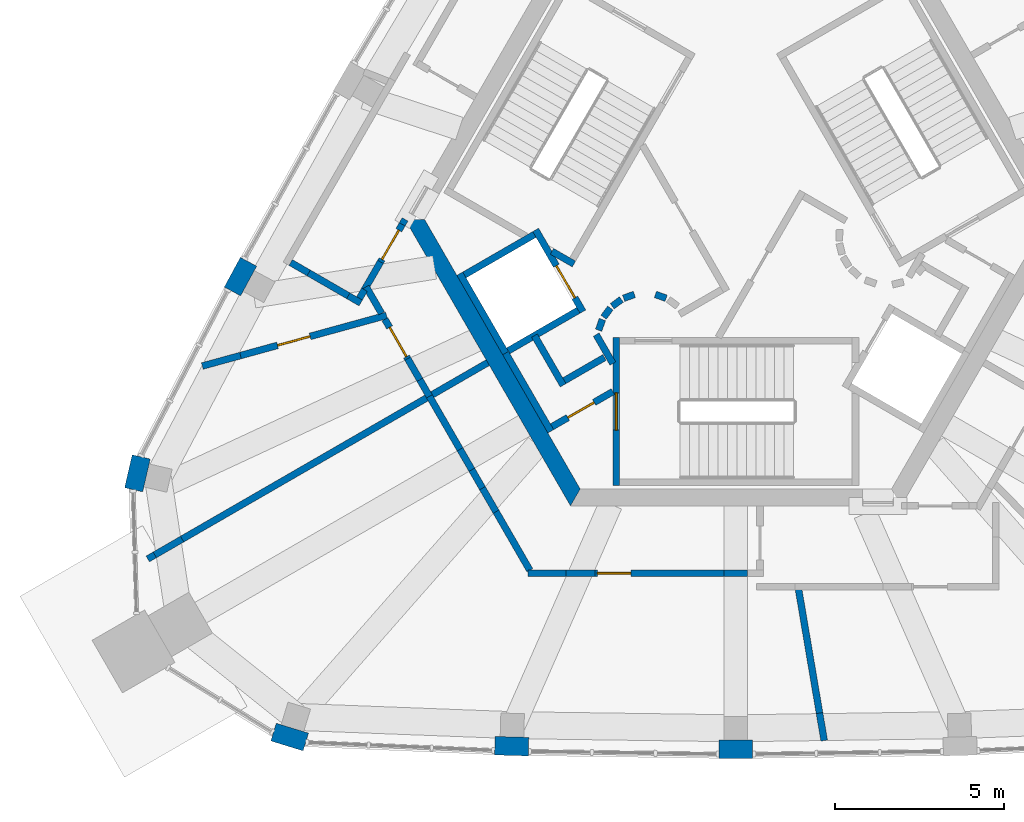
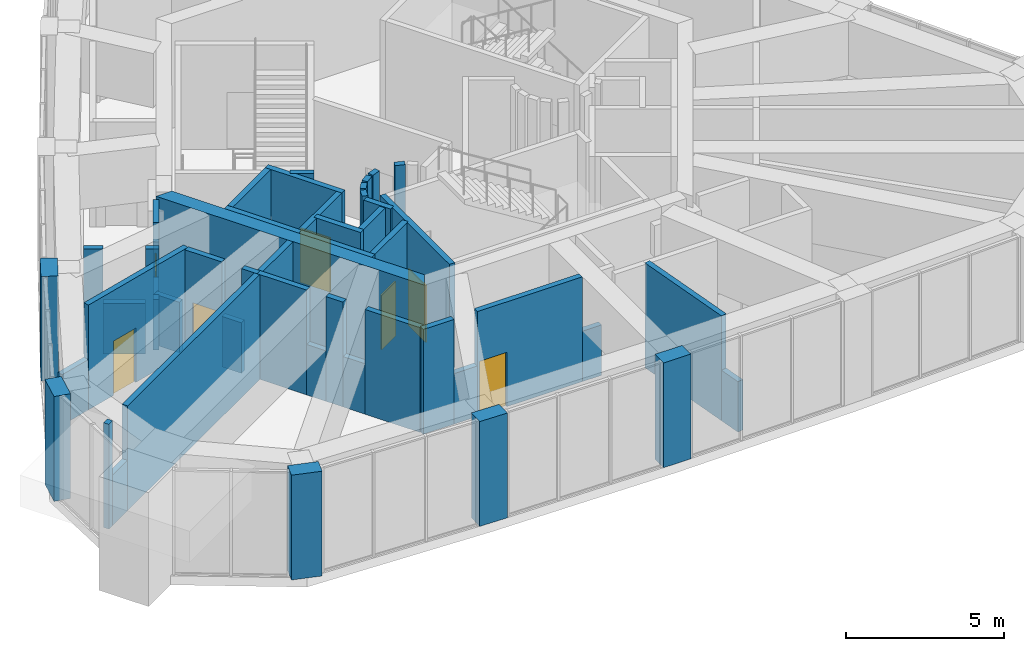
# One storey, part 7 of 11: 50 walls, 7 doors, 7 openings.
"""IFC4 building model written with IfcOpenShell, lengths in metres."""

from ifc_helpers import new_model, si_unit, direction, frame, frame_2d, origin, place, context, subcontext, project, spatial, polyline, rectangle, outline, extrude, material, layer, layer_set, type_object, element, fill, save


model = new_model("IFC4")

# Units and contexts
model_context = context("Model", 3, precision=1e-05, world=origin(), true_north=direction((0.0, 1.0)))
body_context = subcontext(model_context, "Body", "Model", "MODEL_VIEW")
ifc_project = project(units=[si_unit("LENGTHUNIT", "METRE"), si_unit("AREAUNIT", "SQUARE_METRE"), si_unit("VOLUMEUNIT", "CUBIC_METRE"), si_unit("PLANEANGLEUNIT", "RADIAN"), si_unit("MASSUNIT", "GRAM", prefix="KILO")], contexts=[model_context])

# Site, building, storey
site_placement = place(None, origin())
site = spatial("IfcSite", under=ifc_project, at=site_placement, CompositionType="ELEMENT")
building_placement = place(site_placement, origin())
building = spatial("IfcBuilding", under=site, at=building_placement, Name="Entoto Arch Interchange Tower", CompositionType="ELEMENT")
storey_placement = place(building_placement, frame((0.0, 0.0, 353.89990234375)))
storey = spatial("IfcBuildingStorey", under=building, at=storey_placement, Name="L83", CompositionType="ELEMENT", Elevation=353.89990234375)

# Wall
ifc_material_1 = material(Name="Concrete C40/50", Category="concrete")
ifc_layer_1 = layer(ifc_material_1, 0.5)
ifc_layer_set_1 = layer_set([ifc_layer_1], Name="Concrete C40/50")
wall_type_1 = type_object("IfcWallType", Name="Core wall 500 C40/50", PredefinedType="SHEAR", material=ifc_layer_set_1)
wall_1_placement = place(storey_placement, frame((0.0, 0.0, -0.349853515625)))
element("IfcWall", 1, at=wall_1_placement, inside=storey, type_object=wall_type_1, Name="Core wall SW L83", PredefinedType="SHEAR", context=body_context, shape_type="SweptSolid", body=[
    extrude(outline(polyline([(-9.81494140625, 2.5), (-4.906982421875, -6.0), (-4.618896484375, -5.5), (-9.238037109375, 2.5), (-9.81494140625, 2.5)])), origin(), (0.0, 0.0, 1.0), 4.39990234375),
])

# Wall, opening, door
ifc_layer_2 = layer(ifc_material_1, 0.199951171875)
ifc_layer_set_2 = layer_set([ifc_layer_2], Name="Concrete C40/50")
wall_type_2 = type_object("IfcWallType", Name="LIFT SHAFT WALL 200", PredefinedType="STANDARD", material=ifc_layer_set_2)
wall_2_placement = place(storey_placement, frame((-5.93994140625, 2.18798828125, 0.0), z_axis=(0.0, 0.0, 1.0), x_axis=(0.49994636267, -0.866056369097, 0.0)))
wall_2 = element("IfcWall", 2, at=wall_2_placement, inside=storey, type_object=wall_type_2, Name="Shaft wall SW1 front", PredefinedType="STANDARD", context=body_context, shape_type="SweptSolid", body=[
    extrude(rectangle(XDim=2.800048828125, YDim=0.199951171875, at=frame_2d((1.39990234375, 0.0))), origin(), (0.0, 0.0, 1.0), 4.050048828125),
])
opening_1_placement = place(wall_2_placement, frame((1.22509765625, 0.0, 0.0)))
opening_1 = element("IfcOpeningElement", 3, at=opening_1_placement, cuts=wall_2, Name="Opening LD-FF2-L83", PredefinedType="OPENING", context=body_context, shape_type="SweptSolid", body=[
    extrude(rectangle(XDim=1.10009765625, YDim=2.10009765625, at=frame_2d((0.550048828125, 1.050048828125))), frame((0.0, 0.10986328125, 0.0), z_axis=(0.0, -1.0, 0.0), x_axis=(1.0, 0.0, 0.0)), (0.0, 0.0, 1.0), 0.219970703125),
])
ifc_material_2 = material(Name="Stainless steel 1.4301 panels", Category="steel")
door_type_1 = type_object("IfcDoorType", Name="LIFT LANDING DOOR LD1 1100x2100", OperationType="SLIDING_TO_LEFT", PredefinedType="DOOR", material=ifc_material_2)
door_1_placement = place(opening_1_placement, origin())
door_1 = element("IfcDoor", 4, at=door_1_placement, inside=storey, type_object=door_type_1, Name="Lift landing door FF2 L83", OperationType="SLIDING_TO_LEFT", OverallHeight=2.10009765625, OverallWidth=1.10009765625, PredefinedType="DOOR", context=body_context, shape_type="SweptSolid", body=[
    extrude(rectangle(XDim=1.10009765625, YDim=2.10009765625, at=frame_2d((0.550048828125, 1.050048828125))), frame((0.0, 0.02490234375, 0.0), z_axis=(0.0, -1.0, 0.0), x_axis=(1.0, 0.0, 0.0)), (0.0, 0.0, 1.0), 0.050048828125),
])
fill(opening_1, door_1)

# Walls
wall_3_placement = place(storey_placement, frame((-8.19189453125, 0.887939453125, 0.0), z_axis=(0.0, 0.0, 1.0), x_axis=(0.49994636267, -0.866056369097, 0.0)))
element("IfcWall", 5, at=wall_3_placement, inside=storey, type_object=wall_type_2, Name="Shaft wall SW1 back", PredefinedType="STANDARD", context=body_context, shape_type="SweptSolid", body=[
    extrude(rectangle(XDim=2.800048828125, YDim=0.199951171875, at=frame_2d((1.39990234375, 0.0))), origin(), (0.0, 0.0, 1.0), 4.050048828125),
])
for number, where, z_axis, x_axis, name in (
    (6, (-5.97705078125, 2.052001953125, 0.0), (0.0, 0.0, 1.0), (-0.865973769406, -0.500089422704, 0.0), "Shaft wall SW1 cross 1"),
    (7, (-4.677001953125, -0.199951171875, 0.0), (0.0, 0.0, 1.0), (-0.865973769406, -0.500089422704, 0.0), "Shaft wall SW1 cross 2"),
):
    element("IfcWall", number, at=place(storey_placement, frame(where, z_axis=z_axis, x_axis=x_axis)), inside=storey, type_object=wall_type_2, Name=name, PredefinedType="STANDARD", context=body_context, shape_type="SweptSolid", body=[
        extrude(rectangle(XDim=2.3994140625, YDim=0.199951171875, at=frame_2d((1.19970703125, 0.0))), origin(), (0.0, 0.0, 1.0), 4.050048828125),
    ])
ifc_material_3 = material(Name="Gypsum board partition on steel studs", Category="steel")
ifc_layer_3 = layer(ifc_material_3, 0.199951171875)
ifc_layer_set_3 = layer_set([ifc_layer_3], Name="Gypsum board partition on steel studs")
wall_type_3 = type_object("IfcWallType", Name="PARTITION 200", PredefinedType="PARTITIONING", material=ifc_layer_set_3)
wall_4_placement = place(storey_placement, frame((-3.89990234375, -1.59912109375, 0.0), z_axis=(0.0, 0.0, 1.0), x_axis=(-0.865969445389, -0.500096910261, 0.0)))
element("IfcWall", 8, at=wall_4_placement, inside=storey, type_object=wall_type_3, Name="wall:L83:p007", PredefinedType="PARTITIONING", context=body_context, shape_type="SweptSolid", body=[
    extrude(rectangle(XDim=1.373291015625, YDim=0.199951171875, at=frame_2d((0.6865234375, 0.0))), origin(), (0.0, 0.0, 1.0), 4.050048828125),
])
wall_5_placement = place(storey_placement, frame((-5.1259765625, -2.422119140625, 0.0), z_axis=(0.0, 0.0, 1.0), x_axis=(-0.500062241894, 0.865989465428, 0.0)))
element("IfcWall", 9, at=wall_5_placement, inside=storey, type_object=wall_type_3, Name="wall:L83:p008", PredefinedType="PARTITIONING", context=body_context, shape_type="SweptSolid", body=[
    extrude(rectangle(XDim=1.699951171875, YDim=0.199951171875, at=frame_2d((0.85009765625, 0.0))), origin(), (0.0, 0.0, 1.0), 4.050048828125),
])
wall_6_placement = place(storey_placement, frame((-5.491943359375, -3.7880859375, 0.0), z_axis=(0.0, 0.0, 1.0), x_axis=(-0.500008949224, 0.866020236886, 0.0)))
element("IfcWall", 10, at=wall_6_placement, inside=storey, type_object=wall_type_3, Name="wall:L83:p009", PredefinedType="PARTITIONING", context=body_context, shape_type="SweptSolid", body=[
    extrude(rectangle(XDim=2.68017578125, YDim=0.199951171875, at=frame_2d((1.340087890625, 0.0))), origin(), (0.0, 0.0, 1.0), 4.050048828125),
])
wall_7_placement = place(storey_placement, frame((-4.14501953125, -0.919921875, 0.0), z_axis=(0.0, 0.0, 1.0), x_axis=(0.499743786207, -0.866173278362, 0.0)))
element("IfcWall", 11, at=wall_7_placement, inside=storey, type_object=wall_type_3, Name="wall:L83:p010", PredefinedType="PARTITIONING", context=body_context, shape_type="SweptSolid", body=[
    extrude(rectangle(XDim=0.99072265625, YDim=0.199951171875, at=frame_2d((0.495361328125, 0.0))), origin(), (0.0, 0.0, 1.0), 4.050048828125),
])

# Wall, opening, door
wall_8_placement = place(storey_placement, frame((-3.64990234375, -2.610107421875, 0.0), z_axis=(0.0, 0.0, 1.0), x_axis=(-0.866072462134, -0.499918483688, 0.0)))
wall_8 = element("IfcWall", 12, at=wall_8_placement, inside=storey, type_object=wall_type_3, Name="wall:L83:p011", PredefinedType="PARTITIONING", context=body_context, shape_type="SweptSolid", body=[
    extrude(rectangle(XDim=2.084228515625, YDim=0.199951171875, at=frame_2d((1.0419921875, 0.0))), origin(), (0.0, 0.0, 1.0), 4.050048828125),
])
opening_2_placement = place(wall_8_placement, frame((0.64208984375, 0.0, 0.0)))
opening_2 = element("IfcOpeningElement", 13, at=opening_2_placement, cuts=wall_8, Name="Opening L83-D19", PredefinedType="OPENING", context=body_context, shape_type="SweptSolid", body=[
    extrude(rectangle(XDim=0.89990234375, YDim=2.10009765625, at=frame_2d((0.449951171875, 1.050048828125))), frame((0.0, 0.10986328125, 0.0), z_axis=(0.0, -1.0, 0.0), x_axis=(1.0, 0.0, 0.0)), (0.0, 0.0, 1.0), 0.219970703125),
])
ifc_material_4 = material(Name="Timber door leaf in Steel S235 frame", Category="steel")
door_type_2 = type_object("IfcDoorType", Name="DOOR DS-09 900x2100", OperationType="SINGLE_SWING_LEFT", PredefinedType="DOOR", material=ifc_material_4)
door_2_placement = place(opening_2_placement, origin())
door_2 = element("IfcDoor", 14, at=door_2_placement, inside=storey, type_object=door_type_2, Name="door:L83:19", OperationType="SINGLE_SWING_LEFT", OverallHeight=2.10009765625, OverallWidth=0.89990234375, PredefinedType="DOOR", context=body_context, shape_type="SweptSolid", body=[
    extrude(rectangle(XDim=0.89990234375, YDim=2.10009765625, at=frame_2d((0.449951171875, 1.050048828125))), frame((0.0, 0.02490234375, 0.0), z_axis=(0.0, -1.0, 0.0), x_axis=(1.0, 0.0, 0.0)), (0.0, 0.0, 1.0), 0.050048828125),
])
fill(opening_2, door_2)

# Walls
wall_9_placement = place(storey_placement, frame((-2.070068359375, 0.159912109375, 0.0), z_axis=(0.0, 0.0, 1.0), x_axis=(-0.942199461132, 0.335052496547, 0.0)))
element("IfcWall", 15, at=wall_9_placement, inside=storey, type_object=wall_type_3, Name="wall:L83:p022", PredefinedType="PARTITIONING", context=body_context, shape_type="SweptSolid", body=[
    extrude(rectangle(XDim=0.33740234375, YDim=0.199951171875, at=frame_2d((0.168701171875, 0.0))), origin(), (0.0, 0.0, 1.0), 4.050048828125),
])
wall_10_placement = place(storey_placement, frame((-3.011962890625, 0.27294921875, 0.0), z_axis=(0.0, 0.0, 1.0), x_axis=(-0.942280615813, -0.334824194261, 0.0)))
element("IfcWall", 16, at=wall_10_placement, inside=storey, type_object=wall_type_3, Name="wall:L83:p023", PredefinedType="PARTITIONING", context=body_context, shape_type="SweptSolid", body=[
    extrude(rectangle(XDim=0.337646484375, YDim=0.199951171875, at=frame_2d((0.1689453125, 0.0))), origin(), (0.0, 0.0, 1.0), 4.050048828125),
])
wall_11_placement = place(storey_placement, frame((-3.39697265625, 0.1240234375, 0.0), z_axis=(0.0, 0.0, 1.0), x_axis=(-0.804311165252, -0.594208338422, 0.0)))
element("IfcWall", 17, at=wall_11_placement, inside=storey, type_object=wall_type_3, Name="wall:L83:p024", PredefinedType="PARTITIONING", context=body_context, shape_type="SweptSolid", body=[
    extrude(rectangle(XDim=0.338134765625, YDim=0.199951171875, at=frame_2d((0.1689453125, 0.0))), origin(), (0.0, 0.0, 1.0), 4.050048828125),
])
wall_12_placement = place(storey_placement, frame((-3.722900390625, -0.131103515625, 0.0), z_axis=(0.0, 0.0, 1.0), x_axis=(-0.594675113454, -0.803966112121, 0.0)))
element("IfcWall", 18, at=wall_12_placement, inside=storey, type_object=wall_type_3, Name="wall:L83:p025", PredefinedType="PARTITIONING", context=body_context, shape_type="SweptSolid", body=[
    extrude(rectangle(XDim=0.33837890625, YDim=0.199951171875, at=frame_2d((0.169189453125, 0.0))), origin(), (0.0, 0.0, 1.0), 4.050048828125),
])
wall_13_placement = place(storey_placement, frame((-3.9599609375, -0.469970703125, 0.0), z_axis=(0.0, 0.0, 1.0), x_axis=(-0.334824194261, -0.942280615813, 0.0)))
element("IfcWall", 19, at=wall_13_placement, inside=storey, type_object=wall_type_3, Name="wall:L83:p026", PredefinedType="PARTITIONING", context=body_context, shape_type="SweptSolid", body=[
    extrude(rectangle(XDim=0.337646484375, YDim=0.199951171875, at=frame_2d((0.1689453125, 0.0))), origin(), (0.0, 0.0, 1.0), 4.050048828125),
])
wall_14_placement = place(storey_placement, frame((-6.112060546875, -7.9130859375, 0.0), z_axis=(0.0, 0.0, 1.0), x_axis=(-0.499957508411, 0.866049934925, 0.0)))
element("IfcWall", 20, at=wall_14_placement, inside=storey, type_object=wall_type_3, Name="wall:L83:p034", PredefinedType="PARTITIONING", context=body_context, shape_type="SweptSolid", body=[
    extrude(rectangle(XDim=2.008056640625, YDim=0.199951171875, at=frame_2d((1.00390625, 0.0))), origin(), (0.0, 0.0, 1.0), 4.050048828125),
])
wall_15_placement = place(storey_placement, frame((-9.006103515625, -2.699951171875, 0.0), z_axis=(0.0, 0.0, 1.0), x_axis=(0.865980106173, 0.500078449558, 0.0)))
element("IfcWall", 21, at=wall_15_placement, inside=storey, type_object=wall_type_3, Name="wall:L83:p035", PredefinedType="PARTITIONING", context=body_context, shape_type="SweptSolid", body=[
    extrude(rectangle(XDim=1.899658203125, YDim=0.199951171875, at=frame_2d((0.94970703125, 0.0))), origin(), (0.0, 0.0, 1.0), 4.050048828125),
])
wall_16_placement = place(storey_placement, frame((2.6201171875, -12.962890625, 0.0), z_axis=(0.0, 0.0, 1.0), x_axis=(-0.167371315192, 0.985893930832, 0.0)))
element("IfcWall", 22, at=wall_16_placement, inside=storey, type_object=wall_type_3, Name="wall:L83:p038", PredefinedType="PARTITIONING", context=body_context, shape_type="SweptSolid", body=[
    extrude(rectangle(XDim=0.82568359375, YDim=0.199951171875, at=frame_2d((0.412841796875, 0.0))), origin(), (0.0, 0.0, 1.0), 1.9501953125),
])
wall_17_placement = place(storey_placement, frame((-17.449951171875, -7.574951171875, 0.0), z_axis=(0.0, 0.0, 1.0), x_axis=(0.866422508423, 0.499311562953, 0.0)))
element("IfcWall", 23, at=wall_17_placement, inside=storey, type_object=wall_type_3, Name="wall:L83:p040", PredefinedType="PARTITIONING", context=body_context, shape_type="SweptSolid", body=[
    extrude(rectangle(XDim=0.239990234375, YDim=0.199951171875, at=frame_2d((0.1201171875, 0.0))), origin(), (0.0, 0.0, 1.0), 4.050048828125),
])
wall_18_placement = place(storey_placement, frame((-9.81494140625, 2.5, 0.0), z_axis=(0.0, 0.0, 1.0), x_axis=(-0.5004692653, -0.865754303766, 0.0)))
element("IfcWall", 24, at=wall_18_placement, inside=storey, type_object=wall_type_3, Name="wall:L83:p056", PredefinedType="PARTITIONING", context=body_context, shape_type="SweptSolid", body=[
    extrude(rectangle(XDim=0.169677734375, YDim=0.199951171875, at=frame_2d((0.0849609375, 0.0))), origin(), (0.0, 0.0, 1.0), 2.400146484375),
])
wall_19_placement = place(storey_placement, frame((-11.02001953125, 0.4130859375, 0.0), z_axis=(0.0, 0.0, 1.0), x_axis=(-0.500222587251, -0.865896854829, 0.0)))
element("IfcWall", 25, at=wall_19_placement, inside=storey, type_object=wall_type_3, Name="wall:L83:p057", PredefinedType="PARTITIONING", context=body_context, shape_type="SweptSolid", body=[
    extrude(rectangle(XDim=0.295654296875, YDim=0.199951171875, at=frame_2d((0.14794921875, 0.0))), origin(), (0.0, 0.0, 1.0), 1.9501953125),
])
wall_20_placement = place(storey_placement, frame((-11.131103515625, 0.02001953125, 0.0), z_axis=(0.0, 0.0, 1.0), x_axis=(-0.86611877815, 0.499838235968, 0.0)))
element("IfcWall", 26, at=wall_20_placement, inside=storey, type_object=wall_type_3, Name="wall:L83:p058", PredefinedType="PARTITIONING", context=body_context, shape_type="SweptSolid", body=[
    extrude(rectangle(XDim=0.426025390625, YDim=0.199951171875, at=frame_2d((0.212890625, 0.0))), origin(), (0.0, 0.0, 1.0), 4.050048828125),
])
wall_21_placement = place(storey_placement, frame((-10.513916015625, -0.2890625, 0.0), z_axis=(0.0, 0.0, 1.0), x_axis=(-0.500402557727, 0.865792862191, 0.0)))
element("IfcWall", 27, at=wall_21_placement, inside=storey, type_object=wall_type_3, Name="wall:L83:p063", PredefinedType="PARTITIONING", context=body_context, shape_type="SweptSolid", body=[
    extrude(rectangle(XDim=0.911376953125, YDim=0.199951171875, at=frame_2d((0.45556640625, 0.0))), origin(), (0.0, 0.0, 1.0), 1.9501953125),
])
wall_22_placement = place(storey_placement, frame((-9.093017578125, -2.75, 0.0), z_axis=(0.0, 0.0, 1.0), x_axis=(-0.500427620203, 0.86577837634, 0.0)))
element("IfcWall", 28, at=wall_22_placement, inside=storey, type_object=wall_type_3, Name="wall:L83:p064", PredefinedType="PARTITIONING", context=body_context, shape_type="SweptSolid", body=[
    extrude(rectangle(XDim=0.5693359375, YDim=0.199951171875, at=frame_2d((0.28466796875, 0.0))), origin(), (0.0, 0.0, 1.0), 4.050048828125),
])

# Wall, opening, door
wall_23_placement = place(storey_placement, frame((-10.367919921875, -0.34912109375, 0.0), z_axis=(0.0, 0.0, 1.0), x_axis=(-0.964197052958, -0.265186807867, 0.0)))
wall_23 = element("IfcWall", 29, at=wall_23_placement, inside=storey, type_object=wall_type_3, Name="wall:L83:p066", PredefinedType="PARTITIONING", context=body_context, shape_type="SweptSolid", body=[
    extrude(rectangle(XDim=4.490966796875, YDim=0.199951171875, at=frame_2d((2.24560546875, 0.0))), origin(), (0.0, 0.0, 1.0), 4.050048828125),
])
opening_3_placement = place(wall_23_placement, frame((2.35009765625, 0.0, 0.0)))
opening_3 = element("IfcOpeningElement", 30, at=opening_3_placement, cuts=wall_23, Name="Opening L83-D13", PredefinedType="OPENING", context=body_context, shape_type="SweptSolid", body=[
    extrude(rectangle(XDim=1.0, YDim=2.10009765625, at=frame_2d((0.5, 1.050048828125))), frame((0.0, 0.10986328125, 0.0), z_axis=(0.0, -1.0, 0.0), x_axis=(1.0, 0.0, 0.0)), (0.0, 0.0, 1.0), 0.219970703125),
])
ifc_material_5 = material(Name="Fire-rated Steel S235 door and frame", Category="steel")
door_type_3 = type_object("IfcDoorType", Name="DOOR FD-10 1000x2100", OperationType="SINGLE_SWING_LEFT", PredefinedType="DOOR", material=ifc_material_5)
door_3_placement = place(opening_3_placement, origin())
door_3 = element("IfcDoor", 31, at=door_3_placement, inside=storey, type_object=door_type_3, Name="door:L83:13", OperationType="SINGLE_SWING_LEFT", OverallHeight=2.10009765625, OverallWidth=1.0, PredefinedType="DOOR", context=body_context, shape_type="SweptSolid", body=[
    extrude(rectangle(XDim=1.0, YDim=2.10009765625, at=frame_2d((0.5, 1.050048828125))), frame((0.0, 0.02490234375, 0.0), z_axis=(0.0, -1.0, 0.0), x_axis=(1.0, 0.0, 0.0)), (0.0, 0.0, 1.0), 0.050048828125),
])
fill(opening_3, door_3)

# Wall
wall_24_placement = place(storey_placement, frame((0.35009765625, -8.0, 0.0), z_axis=(0.0, 0.0, 1.0), x_axis=(-1.0, 0.0, 0.0)))
element("IfcWall", 32, at=wall_24_placement, inside=storey, type_object=wall_type_3, Name="wall:L83:p033", PredefinedType="PARTITIONING", context=body_context, shape_type="SweptSolid", body=[
    extrude(rectangle(XDim=0.7001953125, YDim=0.199951171875, at=frame_2d((0.35009765625, 0.0))), origin(), (0.0, 0.0, 1.0), 1.9501953125),
])

# Wall, opening, door
wall_25_placement = place(storey_placement, frame((-0.35009765625, -8.0, 0.0), z_axis=(0.0, 0.0, 1.0), x_axis=(-1.0, 0.0, 0.0)))
wall_25 = element("IfcWall", 33, at=wall_25_placement, inside=storey, type_object=wall_type_3, Name="wall:L83:p033", PredefinedType="PARTITIONING", context=body_context, shape_type="SweptSolid", body=[
    extrude(rectangle(XDim=3.8359375, YDim=0.199951171875, at=frame_2d((1.91796875, 0.0))), origin(), (0.0, 0.0, 1.0), 4.050048828125),
])
opening_4_placement = place(wall_25_placement, frame((2.761962890625, 0.0, 0.0)))
opening_4 = element("IfcOpeningElement", 34, at=opening_4_placement, cuts=wall_25, Name="Opening L83-D04", PredefinedType="OPENING", context=body_context, shape_type="SweptSolid", body=[
    extrude(rectangle(XDim=1.0, YDim=2.10009765625, at=frame_2d((0.5, 1.050048828125))), frame((0.0, 0.10986328125, 0.0), z_axis=(0.0, -1.0, 0.0), x_axis=(1.0, 0.0, 0.0)), (0.0, 0.0, 1.0), 0.219970703125),
])
door_4_placement = place(opening_4_placement, origin())
door_4 = element("IfcDoor", 35, at=door_4_placement, inside=storey, type_object=door_type_3, Name="door:L83:04", OperationType="SINGLE_SWING_RIGHT", OverallHeight=2.10009765625, OverallWidth=1.0, PredefinedType="DOOR", context=body_context, shape_type="SweptSolid", body=[
    extrude(rectangle(XDim=1.0, YDim=2.10009765625, at=frame_2d((0.5, 1.050048828125))), frame((0.0, 0.02490234375, 0.0), z_axis=(0.0, -1.0, 0.0), x_axis=(1.0, 0.0, 0.0)), (0.0, 0.0, 1.0), 0.050048828125),
])
fill(opening_4, door_4)

# Walls
wall_26_placement = place(storey_placement, frame((-4.18603515625, -8.0, 0.0), z_axis=(0.0, 0.0, 1.0), x_axis=(-1.0, 0.0, 0.0)))
element("IfcWall", 36, at=wall_26_placement, inside=storey, type_object=wall_type_3, Name="wall:L83:p033", PredefinedType="PARTITIONING", context=body_context, shape_type="SweptSolid", body=[
    extrude(rectangle(XDim=0.85302734375, YDim=0.199951171875, at=frame_2d((0.426513671875, 0.0))), origin(), (0.0, 0.0, 1.0), 1.9501953125),
])
wall_27_placement = place(storey_placement, frame((-5.0390625, -8.0, 0.0), z_axis=(0.0, 0.0, 1.0), x_axis=(-1.0, 0.0, 0.0)))
element("IfcWall", 37, at=wall_27_placement, inside=storey, type_object=wall_type_3, Name="wall:L83:p033", PredefinedType="PARTITIONING", context=body_context, shape_type="SweptSolid", body=[
    extrude(rectangle(XDim=1.123046875, YDim=0.199951171875, at=frame_2d((0.5615234375, 0.0))), origin(), (0.0, 0.0, 1.0), 4.050048828125),
])
wall_28_placement = place(storey_placement, frame((-7.115966796875, -6.174072265625, 0.0), z_axis=(0.0, 0.0, 1.0), x_axis=(-0.500463994258, 0.865757350792, 0.0)))
element("IfcWall", 38, at=wall_28_placement, inside=storey, type_object=wall_type_3, Name="wall:L83:p034", PredefinedType="PARTITIONING", context=body_context, shape_type="SweptSolid", body=[
    extrude(rectangle(XDim=0.807373046875, YDim=0.199951171875, at=frame_2d((0.40380859375, 0.0))), origin(), (0.0, 0.0, 1.0), 1.9501953125),
])
wall_29_placement = place(storey_placement, frame((-7.52001953125, -5.47509765625, 0.0), z_axis=(0.0, 0.0, 1.0), x_axis=(-0.49888522925, 0.866668061046, 0.0)))
element("IfcWall", 39, at=wall_29_placement, inside=storey, type_object=wall_type_3, Name="wall:L83:p034", PredefinedType="PARTITIONING", context=body_context, shape_type="SweptSolid", body=[
    extrude(rectangle(XDim=0.63134765625, YDim=0.199951171875, at=frame_2d((0.315673828125, 0.0))), origin(), (0.0, 0.0, 1.0), 4.050048828125),
])
wall_30_placement = place(storey_placement, frame((-7.8349609375, -4.927978515625, 0.0), z_axis=(0.0, 0.0, 1.0), x_axis=(-0.500265973451, 0.865871789474, 0.0)))
element("IfcWall", 40, at=wall_30_placement, inside=storey, type_object=wall_type_3, Name="wall:L83:p034", PredefinedType="PARTITIONING", context=body_context, shape_type="SweptSolid", body=[
    extrude(rectangle(XDim=0.69970703125, YDim=0.199951171875, at=frame_2d((0.349853515625, 0.0))), origin(), (0.0, 0.0, 1.0), 1.9501953125),
])
wall_31_placement = place(storey_placement, frame((-8.18505859375, -4.322021484375, 0.0), z_axis=(0.0, 0.0, 1.0), x_axis=(-0.500145398563, 0.865941441609, 0.0)))
element("IfcWall", 41, at=wall_31_placement, inside=storey, type_object=wall_type_3, Name="wall:L83:p034", PredefinedType="PARTITIONING", context=body_context, shape_type="SweptSolid", body=[
    extrude(rectangle(XDim=1.8154296875, YDim=0.199951171875, at=frame_2d((0.90771484375, 0.0))), origin(), (0.0, 0.0, 1.0), 4.050048828125),
])
wall_32_placement = place(storey_placement, frame((2.48193359375, -12.14892578125, 0.0), z_axis=(0.0, 0.0, 1.0), x_axis=(-0.167001385459, 0.985956660941, 0.0)))
element("IfcWall", 42, at=wall_32_placement, inside=storey, type_object=wall_type_3, Name="wall:L83:p038", PredefinedType="PARTITIONING", context=body_context, shape_type="SweptSolid", body=[
    extrude(rectangle(XDim=3.802490234375, YDim=0.199951171875, at=frame_2d((1.9013671875, 0.0))), origin(), (0.0, 0.0, 1.0), 4.050048828125),
])
wall_33_placement = place(storey_placement, frame((-17.241943359375, -7.455078125, 0.0), z_axis=(0.0, 0.0, 1.0), x_axis=(0.865942754999, 0.50014312458, 0.0)))
element("IfcWall", 43, at=wall_33_placement, inside=storey, type_object=wall_type_3, Name="wall:L83:p040", PredefinedType="PARTITIONING", context=body_context, shape_type="SweptSolid", body=[
    extrude(rectangle(XDim=0.937744140625, YDim=0.199951171875, at=frame_2d((0.46875, 0.0))), origin(), (0.0, 0.0, 1.0), 1.9501953125),
])
wall_34_placement = place(storey_placement, frame((-16.429931640625, -6.986083984375, 0.0), z_axis=(0.0, 0.0, 1.0), x_axis=(0.866026229868, 0.499998569178, 0.0)))
element("IfcWall", 44, at=wall_34_placement, inside=storey, type_object=wall_type_3, Name="wall:L83:p040", PredefinedType="PARTITIONING", context=body_context, shape_type="SweptSolid", body=[
    extrude(rectangle(XDim=8.572265625, YDim=0.199951171875, at=frame_2d((4.2861328125, 0.0))), origin(), (0.0, 0.0, 1.0), 4.050048828125),
])

# Wall, opening, door
wall_35_placement = place(storey_placement, frame((-9.89990234375, 2.35302734375, 0.0), z_axis=(0.0, 0.0, 1.0), x_axis=(-0.499848207415, -0.866113023539, 0.0)))
wall_35 = element("IfcWall", 45, at=wall_35_placement, inside=storey, type_object=wall_type_3, Name="wall:L83:p056", PredefinedType="PARTITIONING", context=body_context, shape_type="SweptSolid", body=[
    extrude(rectangle(XDim=1.28857421875, YDim=0.199951171875, at=frame_2d((0.644287109375, 0.0))), origin(), (0.0, 0.0, 1.0), 4.050048828125),
])
opening_5_placement = place(wall_35_placement, frame((0.200927734375, 0.0, 0.0)))
opening_5 = element("IfcOpeningElement", 46, at=opening_5_placement, cuts=wall_35, Name="Opening L83-D12", PredefinedType="OPENING", context=body_context, shape_type="SweptSolid", body=[
    extrude(rectangle(XDim=1.0, YDim=2.10009765625, at=frame_2d((0.5, 1.050048828125))), frame((0.0, 0.10986328125, 0.0), z_axis=(0.0, -1.0, 0.0), x_axis=(1.0, 0.0, 0.0)), (0.0, 0.0, 1.0), 0.219970703125),
])
door_5_placement = place(opening_5_placement, origin())
door_5 = element("IfcDoor", 47, at=door_5_placement, inside=storey, type_object=door_type_3, Name="door:L83:12", OperationType="SINGLE_SWING_RIGHT", OverallHeight=2.10009765625, OverallWidth=1.0, PredefinedType="DOOR", context=body_context, shape_type="SweptSolid", body=[
    extrude(rectangle(XDim=1.0, YDim=2.10009765625, at=frame_2d((0.5, 1.050048828125))), frame((0.0, 0.02490234375, 0.0), z_axis=(0.0, -1.0, 0.0), x_axis=(1.0, 0.0, 0.0)), (0.0, 0.0, 1.0), 0.050048828125),
])
fill(opening_5, door_5)

# Walls
wall_36_placement = place(storey_placement, frame((-10.5439453125, 1.237060546875, 0.0), z_axis=(0.0, 0.0, 1.0), x_axis=(-0.500277597875, -0.865865073245, 0.0)))
element("IfcWall", 48, at=wall_36_placement, inside=storey, type_object=wall_type_3, Name="wall:L83:p056", PredefinedType="PARTITIONING", context=body_context, shape_type="SweptSolid", body=[
    extrude(rectangle(XDim=0.95166015625, YDim=0.199951171875, at=frame_2d((0.475830078125, 0.0))), origin(), (0.0, 0.0, 1.0), 1.9501953125),
])
wall_37_placement = place(storey_placement, frame((-11.5, 0.23291015625, 0.0), z_axis=(0.0, 0.0, 1.0), x_axis=(-0.86595504438, 0.500121846266, 0.0)))
element("IfcWall", 49, at=wall_37_placement, inside=storey, type_object=wall_type_3, Name="wall:L83:p058", PredefinedType="PARTITIONING", context=body_context, shape_type="SweptSolid", body=[
    extrude(rectangle(XDim=1.358154296875, YDim=0.199951171875, at=frame_2d((0.67919921875, 0.0))), origin(), (0.0, 0.0, 1.0), 1.9501953125),
])
wall_38_placement = place(storey_placement, frame((-12.676025390625, 0.912109375, 0.0), z_axis=(0.0, 0.0, 1.0), x_axis=(-0.865914706893, 0.500191683643, 0.0)))
element("IfcWall", 50, at=wall_38_placement, inside=storey, type_object=wall_type_3, Name="wall:L83:p058", PredefinedType="PARTITIONING", context=body_context, shape_type="SweptSolid", body=[
    extrude(rectangle(XDim=0.615478515625, YDim=0.199951171875, at=frame_2d((0.3076171875, 0.0))), origin(), (0.0, 0.0, 1.0), 4.050048828125),
])
wall_39_placement = place(storey_placement, frame((-9.3779296875, -2.257080078125, 0.0), z_axis=(0.0, 0.0, 1.0), x_axis=(-0.499820234884, 0.866129166349, 0.0)))
element("IfcWall", 51, at=wall_39_placement, inside=storey, type_object=wall_type_3, Name="wall:L83:p064", PredefinedType="PARTITIONING", context=body_context, shape_type="SweptSolid", body=[
    extrude(rectangle(XDim=0.720458984375, YDim=0.199951171875, at=frame_2d((0.3603515625, 0.0))), origin(), (0.0, 0.0, 1.0), 1.9501953125),
])

# Wall, opening, door
wall_40_placement = place(storey_placement, frame((-9.738037109375, -1.633056640625, 0.0), z_axis=(0.0, 0.0, 1.0), x_axis=(-0.500238469565, 0.865887679533, 0.0)))
wall_40 = element("IfcWall", 52, at=wall_40_placement, inside=storey, type_object=wall_type_3, Name="wall:L83:p064", PredefinedType="PARTITIONING", context=body_context, shape_type="SweptSolid", body=[
    extrude(rectangle(XDim=1.351318359375, YDim=0.199951171875, at=frame_2d((0.67578125, 0.0))), origin(), (0.0, 0.0, 1.0), 4.050048828125),
])
opening_6_placement = place(wall_40_placement, frame((0.072021484375, 0.0, 0.0)))
opening_6 = element("IfcOpeningElement", 53, at=opening_6_placement, cuts=wall_40, Name="Opening L83-D15", PredefinedType="OPENING", context=body_context, shape_type="SweptSolid", body=[
    extrude(rectangle(XDim=1.0, YDim=2.10009765625, at=frame_2d((0.5, 1.050048828125))), frame((0.0, 0.10986328125, 0.0), z_axis=(0.0, -1.0, 0.0), x_axis=(1.0, 0.0, 0.0)), (0.0, 0.0, 1.0), 0.219970703125),
])
door_6_placement = place(opening_6_placement, origin())
door_6 = element("IfcDoor", 54, at=door_6_placement, inside=storey, type_object=door_type_3, Name="door:L83:15", OperationType="SINGLE_SWING_LEFT", OverallHeight=2.10009765625, OverallWidth=1.0, PredefinedType="DOOR", context=body_context, shape_type="SweptSolid", body=[
    extrude(rectangle(XDim=1.0, YDim=2.10009765625, at=frame_2d((0.5, 1.050048828125))), frame((0.0, 0.02490234375, 0.0), z_axis=(0.0, -1.0, 0.0), x_axis=(1.0, 0.0, 0.0)), (0.0, 0.0, 1.0), 0.050048828125),
])
fill(opening_6, door_6)

# Wall
wall_41_placement = place(storey_placement, frame((-14.697998046875, -1.5400390625, 0.0), z_axis=(0.0, 0.0, 1.0), x_axis=(-0.964267835865, -0.264929312679, 0.0)))
element("IfcWall", 55, at=wall_41_placement, inside=storey, type_object=wall_type_3, Name="wall:L83:p066", PredefinedType="PARTITIONING", context=body_context, shape_type="SweptSolid", body=[
    extrude(rectangle(XDim=1.174072265625, YDim=0.199951171875, at=frame_2d((0.5869140625, 0.0))), origin(), (0.0, 0.0, 1.0), 1.9501953125),
])

# Wall, opening, door
ifc_layer_4 = layer(ifc_material_1, 0.199951171875)
ifc_layer_set_4 = layer_set([ifc_layer_4], Name="Concrete C40/50")
wall_type_4 = type_object("IfcWallType", Name="STAIR ENCLOSURE WALL 200", PredefinedType="STANDARD", material=ifc_layer_set_4)
wall_42_placement = place(storey_placement, frame((-3.550048828125, -1.0, 0.0), z_axis=(0.0, 0.0, 1.0), x_axis=(0.0, -1.0, 0.0)))
wall_42 = element("IfcWall", 56, at=wall_42_placement, inside=storey, type_object=wall_type_4, Name="Stair wall ST-S near", PredefinedType="STANDARD", context=body_context, shape_type="SweptSolid", body=[
    extrude(rectangle(XDim=4.39990234375, YDim=0.199951171875, at=frame_2d((2.199951171875, 0.0))), origin(), (0.0, 0.0, 1.0), 4.050048828125),
])
opening_7_placement = place(wall_42_placement, frame((1.64990234375, 0.0, 0.0)))
opening_7 = element("IfcOpeningElement", 57, at=opening_7_placement, cuts=wall_42, Name="Opening SD-ST-S-L83-E", PredefinedType="OPENING", context=body_context, shape_type="SweptSolid", body=[
    extrude(rectangle(XDim=1.10009765625, YDim=2.199951171875, at=frame_2d((0.550048828125, 1.10009765625))), frame((0.0, 0.10986328125, 0.0), z_axis=(0.0, -1.0, 0.0), x_axis=(1.0, 0.0, 0.0)), (0.0, 0.0, 1.0), 0.219970703125),
])
ifc_material_6 = material(Name="Steel S235", Category="steel")
door_type_4 = type_object("IfcDoorType", Name="STAIR DOOR SD1 1100x2200", OperationType="SINGLE_SWING_LEFT", PredefinedType="DOOR", material=ifc_material_6)
door_7_placement = place(opening_7_placement, origin())
door_7 = element("IfcDoor", 58, at=door_7_placement, inside=storey, type_object=door_type_4, Name="Stair door ST-S L83 end", OperationType="SINGLE_SWING_LEFT", OverallHeight=2.199951171875, OverallWidth=1.10009765625, PredefinedType="DOOR", context=body_context, shape_type="SweptSolid", body=[
    extrude(rectangle(XDim=1.10009765625, YDim=2.199951171875, at=frame_2d((0.550048828125, 1.10009765625))), frame((0.0, 0.02490234375, 0.0), z_axis=(0.0, -1.0, 0.0), x_axis=(1.0, 0.0, 0.0)), (0.0, 0.0, 1.0), 0.050048828125),
])
fill(opening_7, door_7)

# Walls
wall_43_placement = place(storey_placement, frame((-4.805908203125, 1.176025390625, 0.0), z_axis=(0.0, 0.0, 1.0), x_axis=(-0.866558586415, 0.499075361355, 0.0)))
element("IfcWall", 59, at=wall_43_placement, inside=storey, type_object=wall_type_4, Name="Stair wall ST-NW far return", PredefinedType="STANDARD", context=body_context, shape_type="SweptSolid", body=[
    extrude(rectangle(XDim=0.75146484375, YDim=0.199951171875, at=frame_2d((0.375732421875, 0.0))), origin(), (0.0, 0.0, 1.0), 4.050048828125),
])
ifc_material_7 = material(Name="Welded tuff (ignimbrite) cladding, warm buff", Category="masonry")
ifc_layer_5 = layer(ifc_material_7, 0.550048828125)
ifc_layer_set_5 = layer_set([ifc_layer_5], Name="Welded tuff (ignimbrite) cladding, warm buff")
wall_type_5 = type_object("IfcWallType", Name="STONE PIER CLADDING 550", PredefinedType="STANDARD", material=ifc_layer_set_5)
wall_44_placement = place(storey_placement, frame((-14.4609375, 1.241943359375, 0.0), z_axis=(0.0, 0.0, 1.0), x_axis=(-0.475874292304, -0.879513307417, 0.0)))
element("IfcWall", 60, at=wall_44_placement, inside=storey, type_object=wall_type_5, Name="Stone pier NW04 L83", PredefinedType="STANDARD", context=body_context, shape_type="SweptSolid", body=[
    extrude(rectangle(XDim=1.00048828125, YDim=0.550048828125, at=frame_2d((0.500244140625, 0.0))), origin(), (0.0, 0.0, 1.0), 4.050048828125),
])
wall_45_placement = place(storey_placement, frame((-17.64404296875, -4.548095703125, 0.0), z_axis=(0.0, 0.0, 1.0), x_axis=(-0.223825449309, -0.974629246556, 0.0)))
element("IfcWall", 61, at=wall_45_placement, inside=storey, type_object=wall_type_5, Name="Stone pier NW05 L83", PredefinedType="STANDARD", context=body_context, shape_type="SweptSolid", body=[
    extrude(rectangle(XDim=1.000244140625, YDim=0.550048828125, at=frame_2d((0.5, 0.0))), origin(), (0.0, 0.0, 1.0), 4.050048828125),
])
wall_46_placement = place(storey_placement, frame((-13.718017578125, -12.712890625, 0.0), z_axis=(0.0, 0.0, 1.0), x_axis=(0.95613166039, -0.292937276563, 0.0)))
element("IfcWall", 62, at=wall_46_placement, inside=storey, type_object=wall_type_5, Name="Stone pier S01 L83", PredefinedType="STANDARD", context=body_context, shape_type="SweptSolid", body=[
    extrude(rectangle(XDim=1.0009765625, YDim=0.550048828125, at=frame_2d((0.50048828125, 0.0))), origin(), (0.0, 0.0, 1.0), 4.050048828125),
])
wall_47_placement = place(storey_placement, frame((-7.152099609375, -13.116943359375, 0.0), z_axis=(0.0, 0.0, 1.0), x_axis=(0.999606097148, -0.028065112591, 0.0)))
element("IfcWall", 63, at=wall_47_placement, inside=storey, type_object=wall_type_5, Name="Stone pier S02 L83", PredefinedType="STANDARD", context=body_context, shape_type="SweptSolid", body=[
    extrude(rectangle(XDim=1.00048828125, YDim=0.550048828125, at=frame_2d((0.500244140625, 0.0))), origin(), (0.0, 0.0, 1.0), 4.050048828125),
])
wall_48_placement = place(storey_placement, frame((-0.5, -13.22509765625, 0.0), z_axis=(0.0, 0.0, 1.0), x_axis=(1.0, 0.0, 0.0)))
element("IfcWall", 64, at=wall_48_placement, inside=storey, type_object=wall_type_5, Name="Stone pier S03 L83", PredefinedType="STANDARD", context=body_context, shape_type="SweptSolid", body=[
    extrude(rectangle(XDim=1.0, YDim=0.550048828125, at=frame_2d((0.5, 0.0))), origin(), (0.0, 0.0, 1.0), 4.050048828125),
])

save(model, "model.ifc")
